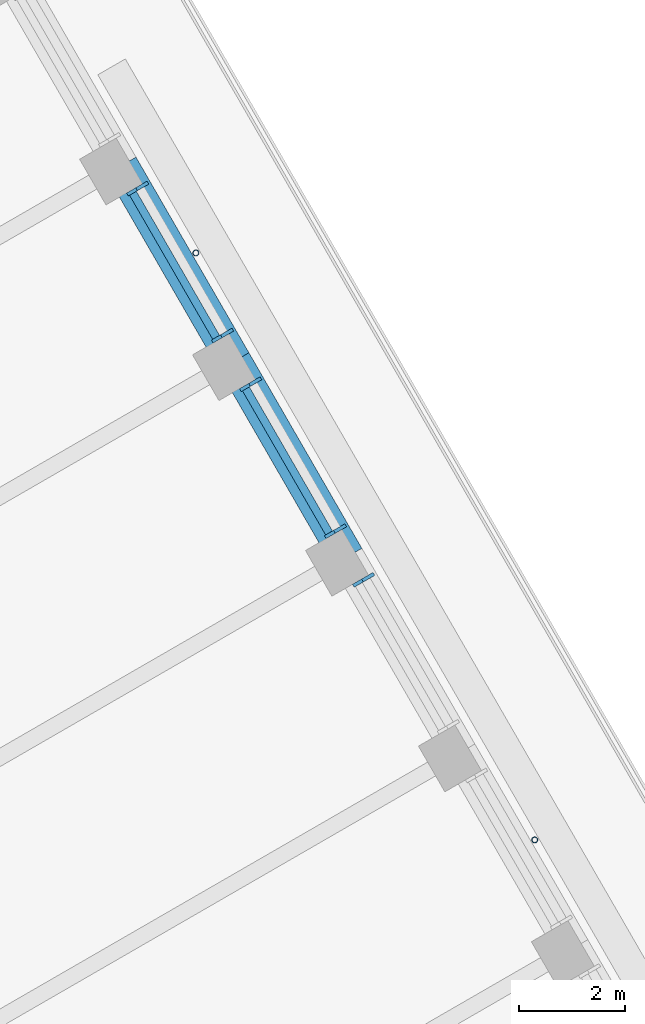
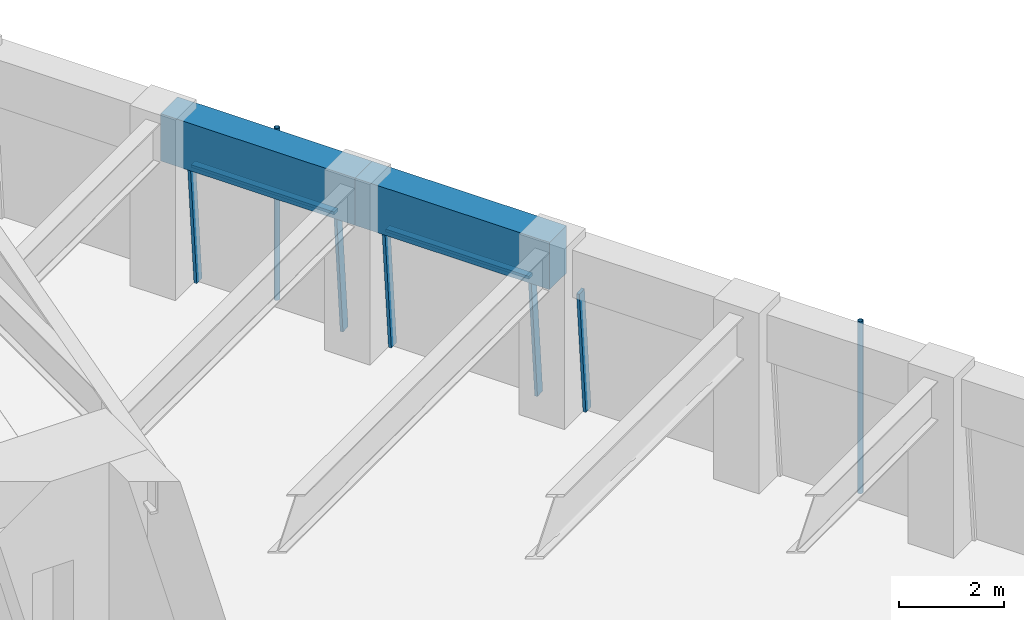
# One storey, part 10 of 19: 9 members, 2 beams, 3 elements without a shape of their own.
"""IFC4 building model written with IfcOpenShell, lengths in metres."""

from ifc_helpers import new_model, si_unit, direction, frame, origin, origin_2d, place, context, subcontext, project, spatial, rectangle, hollow_circle, extrude, material, material_profile, profile_set, type_object, element, aggregate, save


model = new_model("IFC4")

# Units and contexts
model_context = context("Model", 3, precision=1e-05, world=origin(), true_north=direction((0.0, 1.0)))
body_context = subcontext(model_context, "Body", "Model", "MODEL_VIEW")
ifc_project = project(units=[si_unit("LENGTHUNIT", "METRE"), si_unit("AREAUNIT", "SQUARE_METRE"), si_unit("VOLUMEUNIT", "CUBIC_METRE"), si_unit("PLANEANGLEUNIT", "RADIAN"), si_unit("MASSUNIT", "GRAM", prefix="KILO")], contexts=[model_context])

# Site, building, storey
site_placement = place(None, origin())
site = spatial("IfcSite", under=ifc_project, at=site_placement, CompositionType="ELEMENT")
building_placement = place(site_placement, origin())
building = spatial("IfcBuilding", under=site, at=building_placement, Name="Tarfa Lantern Tower", CompositionType="ELEMENT")
storey_placement = place(building_placement, frame((0.0, 0.0, 332.5)))
storey = spatial("IfcBuildingStorey", under=building, at=storey_placement, Name="L75", CompositionType="ELEMENT", Elevation=332.5)

# Curtain wall, member
ifc_material_1 = material(Name="Aluminium framed curtain wall", Category="aluminium")
curtain_wall_type = type_object("IfcCurtainWallType", Name="CW4 CANTED GLAZING EXECUTIVE ZONE 2900", PredefinedType="USERDEFINED", material=ifc_material_1)
curtain_wall_1_placement = place(storey_placement, origin())
curtain_wall_1 = element("IfcCurtainWall", 1, at=curtain_wall_1_placement, inside=storey, type_object=curtain_wall_type, Name="CW4 NE L75", ObjectType="CURTAIN WALL", PredefinedType="USERDEFINED")
ifc_material_2 = material(Name="Aluminium mullion", Category="aluminium")
ifc_material_profile_1 = material_profile(ifc_material_2, rectangle(XDim=0.06494140625, YDim=0.199951171875, at=origin_2d()), Name="AL MULLION 65x200")
ifc_profile_set_1 = profile_set([ifc_material_profile_1], Name="Aluminium mullion")
member_type_1 = type_object("IfcMemberType", Name="CWM1 MULLION 65x200", PredefinedType="MULLION", material=ifc_profile_set_1)
member_1_placement = place(storey_placement, frame((23.345947265625, 12.86376953125, 0.0), z_axis=(-0.074399820079, -0.042945555672, 0.996303340364), x_axis=(0.499919672301, -0.866071776036, 0.0)))
member_1 = element("IfcMember", 2, at=member_1_placement, type_object=member_type_1, Name="CW4 mullion 2", PredefinedType="MULLION", context=body_context, shape_type="SweptSolid", body=[
    extrude(rectangle(XDim=0.06494140625, YDim=0.199951171875, at=origin_2d()), origin(), (0.0, 0.0, 1.0), 2.91064453125),
])
aggregate(curtain_wall_1, [member_1])

# Curtain wall, members
curtain_wall_2_placement = place(storey_placement, origin())
curtain_wall_2 = element("IfcCurtainWall", 3, at=curtain_wall_2_placement, inside=storey, type_object=curtain_wall_type, Name="CW4 NE L75", ObjectType="CURTAIN WALL", PredefinedType="USERDEFINED")
member_2_placement = place(storey_placement, frame((22.813232421875, 13.7861328125, 0.0), z_axis=(-0.074316405553, -0.042945823525, 0.996309554359), x_axis=(0.500342721131, -0.865827443207, 0.0)))
member_2 = element("IfcMember", 4, at=member_2_placement, type_object=member_type_1, Name="CW4 mullion 1", PredefinedType="MULLION", context=body_context, shape_type="SweptSolid", body=[
    extrude(rectangle(XDim=0.06494140625, YDim=0.199951171875, at=origin_2d()), origin(), (0.0, 0.0, 1.0), 2.91064453125),
])
member_3_placement = place(storey_placement, frame((21.204833984375, 16.572265625, 0.0), z_axis=(-0.074399820079, -0.042945555672, 0.996303340364), x_axis=(0.499919672301, -0.866071776036, 0.0)))
member_3 = element("IfcMember", 5, at=member_3_placement, type_object=member_type_1, Name="CW4 mullion 2", PredefinedType="MULLION", context=body_context, shape_type="SweptSolid", body=[
    extrude(rectangle(XDim=0.06494140625, YDim=0.199951171875, at=origin_2d()), origin(), (0.0, 0.0, 1.0), 2.91064453125),
])

curtain_wall_3_placement = place(storey_placement, origin())
curtain_wall_3 = element("IfcCurtainWall", 6, at=curtain_wall_3_placement, inside=storey, type_object=curtain_wall_type, Name="CW4 NE L75", ObjectType="CURTAIN WALL", PredefinedType="USERDEFINED")
member_4_placement = place(storey_placement, frame((20.67236328125, 17.494384765625, 0.0), z_axis=(-0.074399820079, -0.042945555672, 0.996303340364), x_axis=(0.499919672301, -0.866071776036, 0.0)))
member_4 = element("IfcMember", 7, at=member_4_placement, type_object=member_type_1, Name="CW4 mullion 1", PredefinedType="MULLION", context=body_context, shape_type="SweptSolid", body=[
    extrude(rectangle(XDim=0.06494140625, YDim=0.199951171875, at=origin_2d()), origin(), (0.0, 0.0, 1.0), 2.91064453125),
])
member_5_placement = place(storey_placement, frame((19.063720703125, 20.280517578125, 0.0), z_axis=(-0.074316405553, -0.042945823525, 0.996309554359), x_axis=(0.500342721131, -0.865827443207, 0.0)))
member_5 = element("IfcMember", 8, at=member_5_placement, type_object=member_type_1, Name="CW4 mullion 2", PredefinedType="MULLION", context=body_context, shape_type="SweptSolid", body=[
    extrude(rectangle(XDim=0.06494140625, YDim=0.199951171875, at=origin_2d()), origin(), (0.0, 0.0, 1.0), 2.91064453125),
])

# Member
ifc_material_3 = material(Name="Aluminium transom", Category="aluminium")
ifc_material_profile_2 = material_profile(ifc_material_3, rectangle(XDim=0.14990234375, YDim=0.06494140625, at=origin_2d()), Name="AL TRANSOM 150x65")
ifc_profile_set_2 = profile_set([ifc_material_profile_2], Name="Aluminium transom")
member_type_2 = type_object("IfcMemberType", Name="CWT1 TRANSOM 150x65", PredefinedType="USERDEFINED", material=ifc_profile_set_2)
member_6_placement = place(storey_placement, frame((22.5830078125, 13.690673828125, 2.867431640625), z_axis=(-0.499979472441, 0.866037255052, 0.0), x_axis=(-0.866037255052, -0.499979472441, 0.0)))
member_6 = element("IfcMember", 9, at=member_6_placement, type_object=member_type_2, Name="CW4 transom 1.2", ObjectType="TRANSOM", PredefinedType="USERDEFINED", context=body_context, shape_type="SweptSolid", body=[
    extrude(rectangle(XDim=0.14990234375, YDim=0.06494140625, at=origin_2d()), origin(), (0.0, 0.0, 1.0), 3.152099609375),
])

aggregate(curtain_wall_2, [member_2, member_3, member_6])

member_7_placement = place(storey_placement, frame((20.44189453125, 17.39892578125, 2.867431640625), z_axis=(-0.499979472441, 0.866037255052, 0.0), x_axis=(-0.866037255052, -0.499979472441, 0.0)))
member_7 = element("IfcMember", 10, at=member_7_placement, type_object=member_type_2, Name="CW4 transom 1.2", ObjectType="TRANSOM", PredefinedType="USERDEFINED", context=body_context, shape_type="SweptSolid", body=[
    extrude(rectangle(XDim=0.14990234375, YDim=0.06494140625, at=origin_2d()), origin(), (0.0, 0.0, 1.0), 3.152099609375),
])

aggregate(curtain_wall_3, [member_4, member_5, member_7])

# Beams
ifc_material_4 = material(Name="Concrete C80/95", Category="concrete")
ifc_material_profile_3 = material_profile(ifc_material_4, rectangle(XDim=0.64990234375, YDim=1.10009765625, at=origin_2d()), Name="RC 650x1100")
ifc_profile_set_3 = profile_set([ifc_material_profile_3], Name="Concrete C80/95")
beam_type = type_object("IfcBeamType", Name="EB4 RC 650x1100", PredefinedType="SPANDREL", material=ifc_profile_set_3)
for number, where, z_axis, x_axis, name in (
    (11, (22.923583984375, 13.235107421875, 3.449951171875), (-0.499984039138, 0.866034618596, 0.0), (-0.866034618596, -0.499984039138, 0.0), "Edge beam NE3"),
    (12, (20.78271484375, 16.943359375, 3.449951171875), (-0.500026801138, 0.866009929587, 0.0), (-0.866009929587, -0.500026801138, 0.0), "Edge beam NE4"),
):
    element("IfcBeam", number, at=place(storey_placement, frame(where, z_axis=z_axis, x_axis=x_axis)), inside=storey, type_object=beam_type, Name=name, PredefinedType="SPANDREL", context=body_context, shape_type="SweptSolid", body=[
        extrude(rectangle(XDim=0.64990234375, YDim=1.10009765625, at=origin_2d()), origin(), (0.0, 0.0, 1.0), 4.281982421875),
    ])

# Members
ifc_material_5 = material(Name="Steel S355", Category="steel")
ifc_material_profile_4 = material_profile(ifc_material_5, hollow_circle(Radius=0.05712890625, WallThickness=0.00634765625, at=origin_2d()), Name="CHS114.3x6.3")
ifc_profile_set_4 = profile_set([ifc_material_profile_4], Name="Steel S355")
member_type_3 = type_object("IfcMemberType", Name="TR1 GREEN WALL TRELLIS CHS114.3x6.3", PredefinedType="USERDEFINED", material=ifc_profile_set_4)
for number, where, z_axis, x_axis, name in (
    (13, (26.481689453125, 7.87255859375, 0.0), (0.0, 0.0, 1.0), (1.0, 0.0, 0.0), "Trellis post NE 1"),
    (14, (20.05859375, 18.99755859375, 0.0), (0.0, 0.0, 1.0), (1.0, 0.0, 0.0), "Trellis post NE 2"),
):
    element("IfcMember", number, at=place(storey_placement, frame(where, z_axis=z_axis, x_axis=x_axis)), inside=storey, type_object=member_type_3, Name=name, ObjectType="TRELLIS", PredefinedType="USERDEFINED", context=body_context, shape_type="SweptSolid", body=[
        extrude(hollow_circle(Radius=0.05712890625, WallThickness=0.00634765625, at=origin_2d()), origin(), (0.0, 0.0, 1.0), 4.0),
    ])

save(model, "model.ifc")
